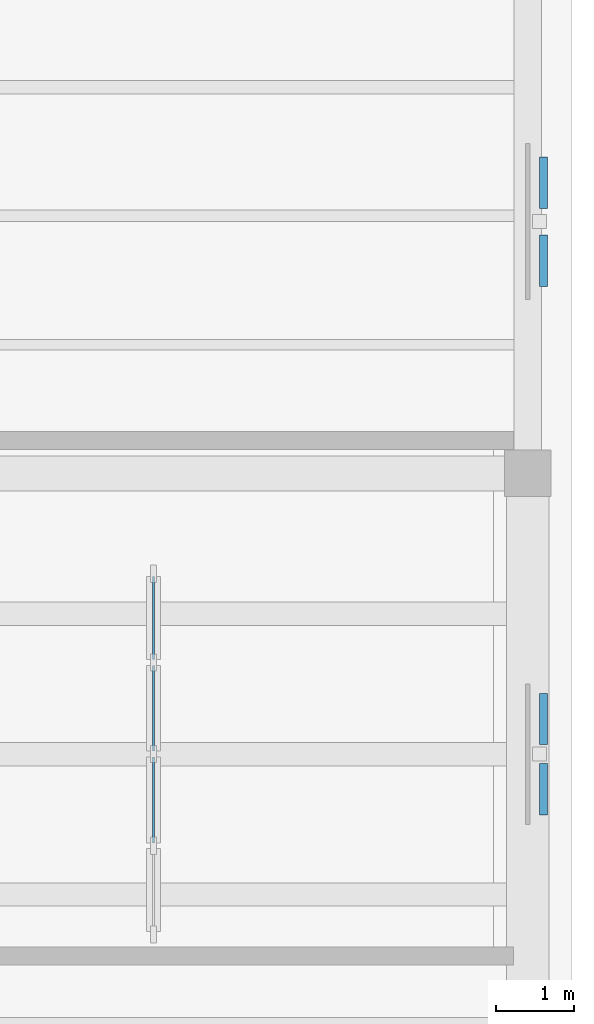
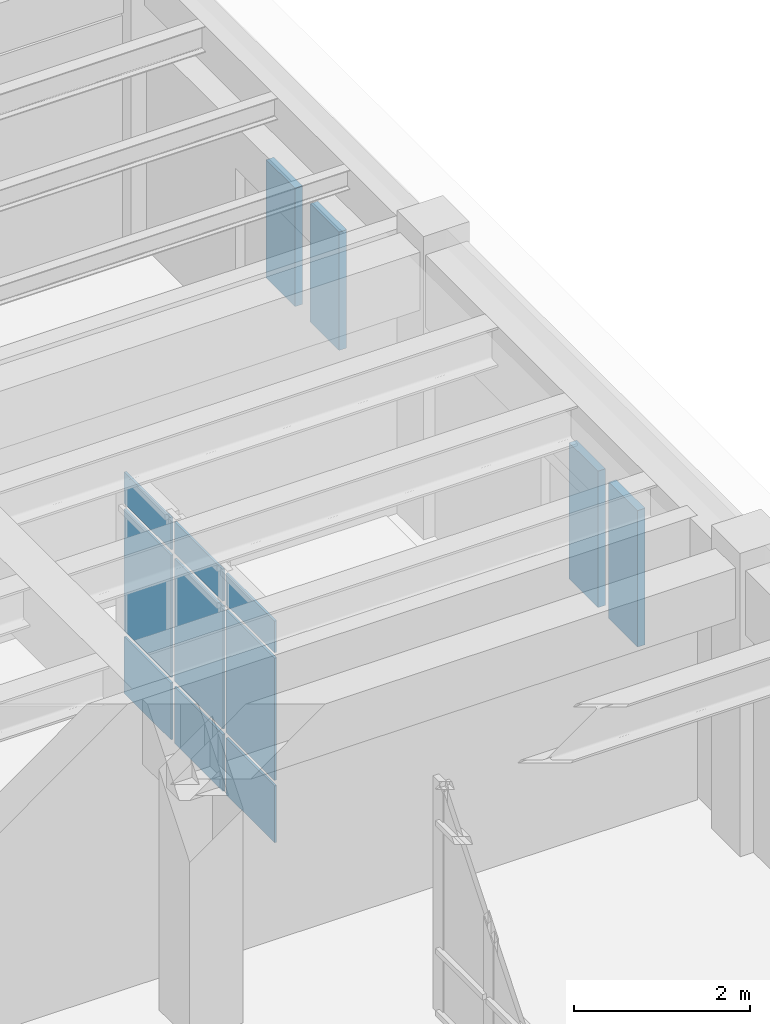
# One storey, part 34 of 66: 13 plates, 1 element without a shape of its own.
"""IFC4 building model written with IfcOpenShell, lengths in metres."""

from ifc_helpers import new_model, si_unit, direction, frame, origin, origin_2d, place, context, subcontext, project, spatial, rectangle, extrude, material, layer, layer_set, type_object, element, aggregate, save


model = new_model("IFC4")

# Units and contexts
model_context = context("Model", 3, precision=1e-05, world=origin(), true_north=direction((0.0, 1.0)))
body_context = subcontext(model_context, "Body", "Model", "MODEL_VIEW")
ifc_project = project(units=[si_unit("LENGTHUNIT", "METRE"), si_unit("AREAUNIT", "SQUARE_METRE"), si_unit("VOLUMEUNIT", "CUBIC_METRE"), si_unit("PLANEANGLEUNIT", "RADIAN"), si_unit("MASSUNIT", "GRAM", prefix="KILO")], contexts=[model_context])

# Site, building, storey
site_placement = place(None, origin())
site = spatial("IfcSite", under=ifc_project, at=site_placement, CompositionType="ELEMENT")
building_placement = place(site_placement, origin())
building = spatial("IfcBuilding", under=site, at=building_placement, Name="Mithqara Police Headquarters", CompositionType="ELEMENT")
storey_placement = place(building_placement, frame((0.0, 0.0, 9.60009765625)))
storey = spatial("IfcBuildingStorey", under=building, at=storey_placement, Name="L02", CompositionType="ELEMENT", Elevation=9.60009765625)

# Curtain wall, plates
ifc_material_1 = material(Name="Bronze anodised aluminium 6063-T6", Category="aluminium")
curtain_wall_type = type_object("IfcCurtainWallType", Name="CURTAIN WALL 4700X3220", PredefinedType="USERDEFINED", material=ifc_material_1)
curtain_wall_placement = place(storey_placement, origin())
curtain_wall = element("IfcCurtainWall", 1, at=curtain_wall_placement, inside=storey, type_object=curtain_wall_type, Name="L02 Unitised Glazing CW-16 (CW-INT-L02-X22-Y14-0)", ObjectType="UNITISED GLAZING", PredefinedType="USERDEFINED")
ifc_material_2 = material(Name="Spectrally selective double low-e glass", Category="glass")
ifc_layer_1 = layer(ifc_material_2, 0.028076171875, Name="Spectrally selective double low-e glass")
ifc_layer_set_1 = layer_set([ifc_layer_1], Name="Spectrally selective double low-e glass")
plate_type_1 = type_object("IfcPlateType", Name="CWPANEL GLASS28", PredefinedType="CURTAIN_PANEL", material=ifc_layer_set_1)
plate_1_placement = place(storey_placement, frame((161.39990234375, 103.21240234375, 0.074951171875), z_axis=(0.0, 0.0, 1.0), x_axis=(0.0, 1.0, 0.0)))
plate_1 = element("IfcPlate", 2, at=plate_1_placement, type_object=plate_type_1, Name="CW-16 panel 2.1", PredefinedType="CURTAIN_PANEL", context=body_context, shape_type="SweptSolid", body=[
    extrude(rectangle(XDim=1.10009765625, YDim=0.028076171875, at=origin_2d()), origin(), (0.0, 0.0, 1.0), 0.78759765625),
])
plate_2_placement = place(storey_placement, frame((161.39990234375, 103.21240234375, 0.9375), z_axis=(0.0, 0.0, 1.0), x_axis=(0.0, 1.0, 0.0)))
plate_2 = element("IfcPlate", 3, at=plate_2_placement, type_object=plate_type_1, Name="CW-16 panel 2.2", PredefinedType="CURTAIN_PANEL", context=body_context, shape_type="SweptSolid", body=[
    extrude(rectangle(XDim=1.10009765625, YDim=0.028076171875, at=origin_2d()), origin(), (0.0, 0.0, 1.0), 1.695068359375),
])
plate_3_placement = place(storey_placement, frame((161.39990234375, 103.21240234375, 2.70751953125), z_axis=(0.0, 0.0, 1.0), x_axis=(0.0, 1.0, 0.0)))
plate_3 = element("IfcPlate", 4, at=plate_3_placement, type_object=plate_type_1, Name="CW-16 panel 2.3", PredefinedType="CURTAIN_PANEL", context=body_context, shape_type="SweptSolid", body=[
    extrude(rectangle(XDim=1.10009765625, YDim=0.028076171875, at=origin_2d()), origin(), (0.0, 0.0, 1.0), 0.4375),
])
plate_4_placement = place(storey_placement, frame((161.39990234375, 104.387451171875, 0.074951171875), z_axis=(0.0, 0.0, 1.0), x_axis=(0.0, 1.0, 0.0)))
plate_4 = element("IfcPlate", 5, at=plate_4_placement, type_object=plate_type_1, Name="CW-16 panel 3.1", PredefinedType="CURTAIN_PANEL", context=body_context, shape_type="SweptSolid", body=[
    extrude(rectangle(XDim=1.10009765625, YDim=0.028076171875, at=origin_2d()), origin(), (0.0, 0.0, 1.0), 0.78759765625),
])
plate_5_placement = place(storey_placement, frame((161.39990234375, 104.387451171875, 0.9375), z_axis=(0.0, 0.0, 1.0), x_axis=(0.0, 1.0, 0.0)))
plate_5 = element("IfcPlate", 6, at=plate_5_placement, type_object=plate_type_1, Name="CW-16 panel 3.2", PredefinedType="CURTAIN_PANEL", context=body_context, shape_type="SweptSolid", body=[
    extrude(rectangle(XDim=1.10009765625, YDim=0.028076171875, at=origin_2d()), origin(), (0.0, 0.0, 1.0), 1.695068359375),
])
plate_6_placement = place(storey_placement, frame((161.39990234375, 104.387451171875, 2.70751953125), z_axis=(0.0, 0.0, 1.0), x_axis=(0.0, 1.0, 0.0)))
plate_6 = element("IfcPlate", 7, at=plate_6_placement, type_object=plate_type_1, Name="CW-16 panel 3.3", PredefinedType="CURTAIN_PANEL", context=body_context, shape_type="SweptSolid", body=[
    extrude(rectangle(XDim=1.10009765625, YDim=0.028076171875, at=origin_2d()), origin(), (0.0, 0.0, 1.0), 0.4375),
])
plate_7_placement = place(storey_placement, frame((161.39990234375, 105.543701171875, 0.074951171875), z_axis=(0.0, 0.0, 1.0), x_axis=(0.0, 1.0, 0.0)))
plate_7 = element("IfcPlate", 8, at=plate_7_placement, type_object=plate_type_1, Name="CW-16 panel 4.1", PredefinedType="CURTAIN_PANEL", context=body_context, shape_type="SweptSolid", body=[
    extrude(rectangle(XDim=1.0625, YDim=0.028076171875, at=origin_2d()), origin(), (0.0, 0.0, 1.0), 0.78759765625),
])
plate_8_placement = place(storey_placement, frame((161.39990234375, 105.543701171875, 0.9375), z_axis=(0.0, 0.0, 1.0), x_axis=(0.0, 1.0, 0.0)))
plate_8 = element("IfcPlate", 9, at=plate_8_placement, type_object=plate_type_1, Name="CW-16 panel 4.2", PredefinedType="CURTAIN_PANEL", context=body_context, shape_type="SweptSolid", body=[
    extrude(rectangle(XDim=1.0625, YDim=0.028076171875, at=origin_2d()), origin(), (0.0, 0.0, 1.0), 1.695068359375),
])
plate_9_placement = place(storey_placement, frame((161.39990234375, 105.543701171875, 2.70751953125), z_axis=(0.0, 0.0, 1.0), x_axis=(0.0, 1.0, 0.0)))
plate_9 = element("IfcPlate", 10, at=plate_9_placement, type_object=plate_type_1, Name="CW-16 panel 4.3", PredefinedType="CURTAIN_PANEL", context=body_context, shape_type="SweptSolid", body=[
    extrude(rectangle(XDim=1.0625, YDim=0.028076171875, at=origin_2d()), origin(), (0.0, 0.0, 1.0), 0.4375),
])
aggregate(curtain_wall, [plate_1, plate_2, plate_3, plate_4, plate_5, plate_6, plate_7, plate_8, plate_9])

# Plates
ifc_material_3 = material(Name="Limestone ashlar masonry, 45 MPa", Category="masonry")
ifc_layer_2 = layer(ifc_material_3, 0.10009765625, Name="Limestone ashlar masonry, 45 MPa")
ifc_layer_set_2 = layer_set([ifc_layer_2], Name="Limestone ashlar masonry, 45 MPa")
plate_type_2 = type_object("IfcPlateType", Name="STONE SCREEN 100", PredefinedType="USERDEFINED", material=ifc_layer_set_2)
for number, where, z_axis, x_axis, name in (
    (11, (166.39990234375, 103.35009765625, 0.830078125), (0.0, 0.0, 1.0), (0.0, 1.0, 0.0), "L02 Pierced Limestone Vertical-Slit Panel 81"),
    (12, (166.39990234375, 104.25, 0.830078125), (0.0, 0.0, 1.0), (0.0, 1.0, 0.0), "L02 Pierced Limestone Vertical-Slit Panel 82"),
):
    element("IfcPlate", number, at=place(storey_placement, frame(where, z_axis=z_axis, x_axis=x_axis)), inside=storey, type_object=plate_type_2, Name=name, ObjectType="STONE SCREEN", PredefinedType="USERDEFINED", context=body_context, shape_type="SweptSolid", body=[
        extrude(rectangle(XDim=0.656005859375, YDim=0.10009765625, at=origin_2d()), origin(), (0.0, 0.0, 1.0), 1.889892578125),
    ])
for number, where, z_axis, x_axis, name in (
    (13, (166.39990234375, 110.125, 0.830078125), (0.0, 0.0, 1.0), (0.0, 1.0, 0.0), "L02 Pierced Limestone Vertical-Slit Panel 83"),
    (14, (166.39990234375, 111.125, 0.830078125), (0.0, 0.0, 1.0), (0.0, 1.0, 0.0), "L02 Pierced Limestone Vertical-Slit Panel 84"),
):
    element("IfcPlate", number, at=place(storey_placement, frame(where, z_axis=z_axis, x_axis=x_axis)), inside=storey, type_object=plate_type_2, Name=name, ObjectType="STONE SCREEN", PredefinedType="USERDEFINED", context=body_context, shape_type="SweptSolid", body=[
        extrude(rectangle(XDim=0.656005859375, YDim=0.10009765625, at=origin_2d()), origin(), (0.0, 0.0, 1.0), 1.639892578125),
    ])

save(model, "model.ifc")
